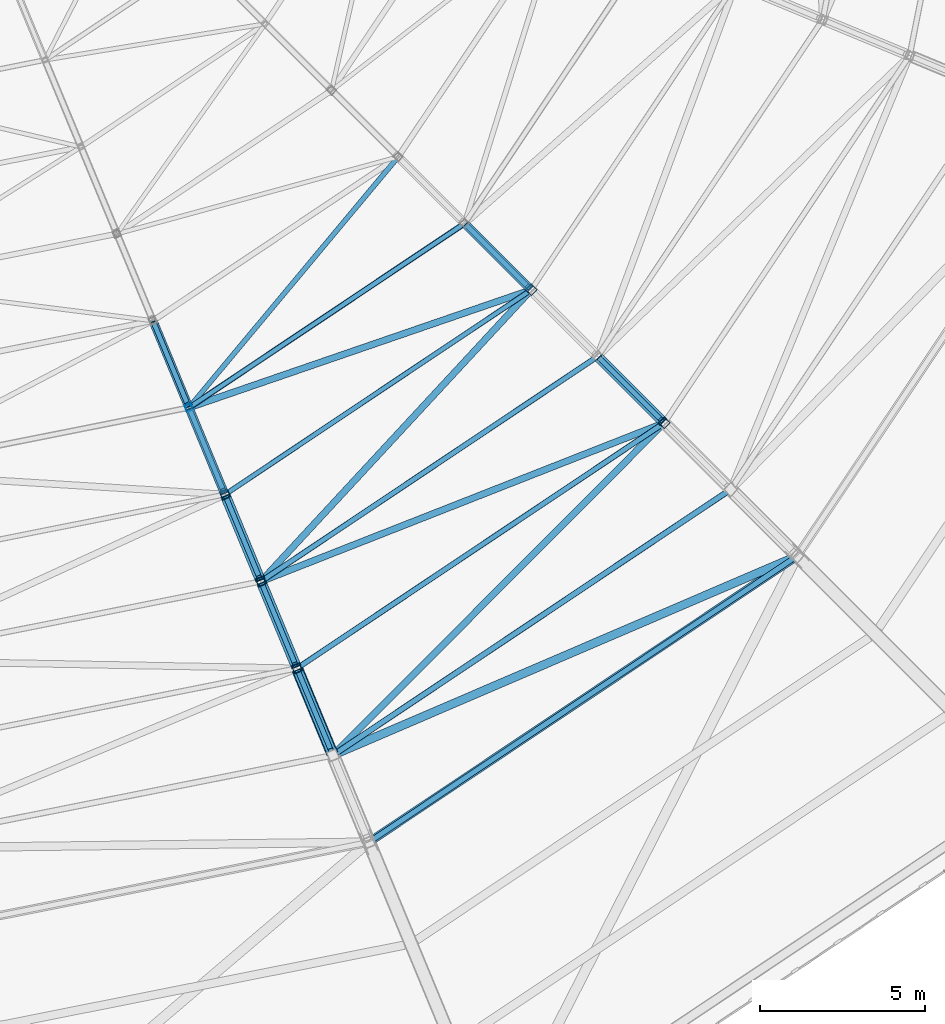
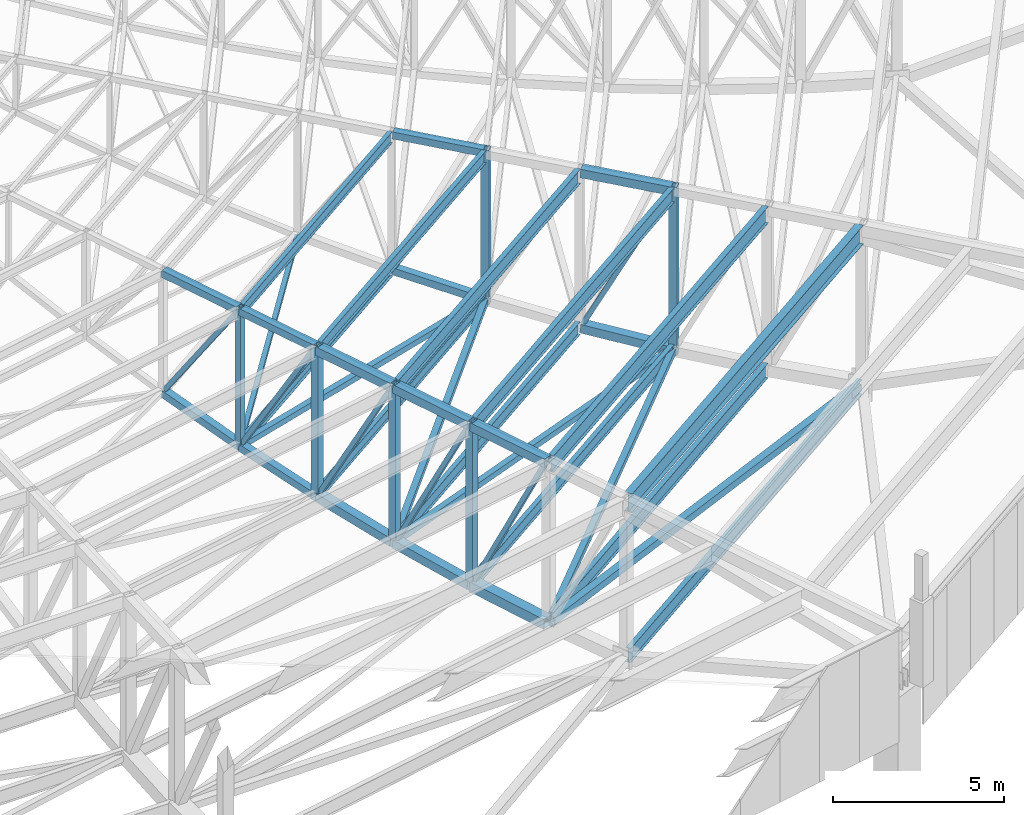
# One storey, part 44 of 278: 25 members, 20 beams.
"""IFC4 building model written with IfcOpenShell, lengths in metres."""

import ifcopenshell
import ifcopenshell.guid

model = None  # the IFC model being written
_history = None  # IfcOwnerHistory: only IFC2X3 demands one
_inside = {}  # id of a spatial element -> (the spatial element, [elements in it])
_under = {}  # id of a project, library or spatial element -> (it, [spatial elements below it])
_declared = {}  # id of a project -> (the project, [libraries it declares])
_typed = {}  # id of a type object -> (the type object, [elements of that type])
_made_of = {}  # id of a material, layer set ... -> (it, [elements and type objects made of it])


def new_model(schema):
    """Start an empty IFC model of exactly this schema.

    Asked for "IFC4X3", IfcOpenShell would pick the latest addendum, in which some entities
    have other attributes; the version numbers below select the first issue.
    IFC2X3 requires an IfcOwnerHistory on every rooted entity: one is made here for all.
    """
    global model, _history
    if schema == "IFC4X3":
        model = ifcopenshell.file(schema_version=(4, 3, 0, 0))
    else:
        model = ifcopenshell.file(schema=schema)
    _inside.clear()
    _under.clear()
    _declared.clear()
    _typed.clear()
    _made_of.clear()
    _history = None
    if model.schema == "IFC2X3":
        org = make("IfcOrganization", Name="unknown")
        user = make(
            "IfcPersonAndOrganization",
            ThePerson=make("IfcPerson", FamilyName="unknown"),
            TheOrganization=org,
        )
        app = make(
            "IfcApplication",
            ApplicationDeveloper=org,
            Version="unknown",
            ApplicationFullName="unknown",
            ApplicationIdentifier="unknown",
        )
        _history = make(
            "IfcOwnerHistory",
            OwningUser=user,
            OwningApplication=app,
            ChangeAction="ADDED",
            CreationDate=0,
        )
    return model


def make(cls, **values):
    """One entity of the class cls with the attributes given. An attribute that is None is left unset."""
    return model.create_entity(
        cls, **{name: value for name, value in values.items() if value is not None}
    )


def rooted(cls, **values):
    """An entity with a GlobalId (a new one), such as an element, a storey or a relation."""
    return make(cls, GlobalId=ifcopenshell.guid.new(), OwnerHistory=_history, **values)


def si_unit(unit_type, name, prefix=None):
    """IfcSIUnit, for example si_unit("LENGTHUNIT", "METRE", prefix="MILLI")."""
    return make("IfcSIUnit", UnitType=unit_type, Prefix=prefix, Name=name)


def assignment(units):
    """IfcUnitAssignment: the units of a project."""
    return None if units is None else make("IfcUnitAssignment", Units=units)


def point(xyz):
    """IfcCartesianPoint."""
    return None if xyz is None else make("IfcCartesianPoint", Coordinates=xyz)


def direction(xyz):
    """IfcDirection."""
    return None if xyz is None else make("IfcDirection", DirectionRatios=xyz)


def frame(location, z_axis=None, x_axis=None):
    """IfcAxis2Placement3D, a coordinate frame: its origin and axes. An axis left out is left unset."""
    return make(
        "IfcAxis2Placement3D",
        Location=point(location),
        Axis=direction(z_axis),
        RefDirection=direction(x_axis),
    )


def frame_2d(location, x_axis=None):
    """IfcAxis2Placement2D, a coordinate frame in the plane: its origin and x axis."""
    return make(
        "IfcAxis2Placement2D", Location=point(location), RefDirection=direction(x_axis)
    )


def origin():
    """The frame at (0, 0, 0) with its axes left unset."""
    return frame((0.0, 0.0, 0.0))


def origin_2d():
    """The frame at (0, 0) in the plane with its x axis left unset."""
    return frame_2d((0.0, 0.0))


def place(relative_to, where):
    """IfcLocalPlacement: puts the frame where relative to a parent placement (None: the world)."""
    return make(
        "IfcLocalPlacement", PlacementRelTo=relative_to, RelativePlacement=where
    )


def context(
    kind, dimensions, precision=None, world=None, true_north=None, identifier=None
):
    """IfcGeometricRepresentationContext, for example the 3D "Model" context."""
    return make(
        "IfcGeometricRepresentationContext",
        ContextIdentifier=identifier,
        ContextType=kind,
        CoordinateSpaceDimension=dimensions,
        Precision=precision,
        WorldCoordinateSystem=world,
        TrueNorth=true_north,
    )


def subcontext(parent, identifier, kind, view, scale=None):
    """IfcGeometricRepresentationSubContext, for example "Body" below "Model"."""
    return make(
        "IfcGeometricRepresentationSubContext",
        ContextIdentifier=identifier,
        ContextType=kind,
        ParentContext=parent,
        TargetScale=scale,
        TargetView=view,
    )


def project(units=None, contexts=None):
    """IfcProject with its units and contexts."""
    return rooted(
        "IfcProject",
        Name="project",
        RepresentationContexts=contexts,
        UnitsInContext=assignment(units),
    )


def spatial(cls, under=None, at=None, **own):
    """A site, building, storey or space (cls), placed at a placement, below another one or the project."""
    s = rooted(cls, ObjectPlacement=at, **own)
    if under is not None:
        _under.setdefault(under.id(), (under, []))[1].append(s)
    return s


def profile(cls, at=None, kind="AREA", **sizes):
    """A parametric profile (cls). Its sizes go by their IFC names, for example OverallWidth=200.0."""
    return make(cls, ProfileType=kind, Position=at, **sizes)


def hollow_rectangle(**sizes):
    """IfcRectangleHollowProfileDef."""
    return profile("IfcRectangleHollowProfileDef", **sizes)


def i_section(**sizes):
    """IfcIShapeProfileDef."""
    return profile("IfcIShapeProfileDef", **sizes)


def extrude(swept, where, along, depth):
    """IfcExtrudedAreaSolid: the profile swept, set in the frame where, extruded along a direction by depth."""
    return make(
        "IfcExtrudedAreaSolid",
        SweptArea=swept,
        Position=where,
        ExtrudedDirection=direction(along),
        Depth=depth,
    )


def shape(context_of_items, identifier, shape_type, items):
    """IfcShapeRepresentation: the items that make up one representation, for example the "Body"."""
    return make(
        "IfcShapeRepresentation",
        ContextOfItems=context_of_items,
        RepresentationIdentifier=identifier,
        RepresentationType=shape_type,
        Items=items,
    )


def material(Name=None, Category=None):
    """IfcMaterial."""
    return make("IfcMaterial", Name=Name, Category=Category)


def material_profile(
    of_material, cross_section, Name=None, Category=None, Priority=None
):
    """IfcMaterialProfile: a cross section and its material."""
    return make(
        "IfcMaterialProfile",
        Name=Name,
        Material=of_material,
        Profile=cross_section,
        Priority=Priority,
        Category=Category,
    )


def profile_set(profiles, Name=None, composite=None):
    """IfcMaterialProfileSet."""
    return make(
        "IfcMaterialProfileSet",
        Name=Name,
        MaterialProfiles=profiles,
        CompositeProfile=composite,
    )


def made_of(thing, what):
    """Note that an element or type object is made of a material, layer set ...; save() writes the relation."""
    if what is not None:
        _made_of.setdefault(what.id(), (what, []))[1].append(thing)
    return thing


def type_object(cls, material=None, **own):
    """A type object (cls), such as IfcWallType, which elements share."""
    return made_of(rooted(cls, **own), material)


def element(
    cls,
    number,
    at=None,
    inside=None,
    cuts=None,
    type_object=None,
    material=None,
    context=None,
    identifier="Body",
    shape_type=None,
    held_by="IfcProductDefinitionShape",
    body=None,
    shapes=None,
    **own,
):
    """One element of the class cls, such as IfcWall. Its Tag is "e" and its number.

    at: its placement. inside: the storey or other place that contains it. cuts: it is an
    opening in that element (IfcRelVoidsElement). A single representation is given by context,
    identifier, shape_type and body (its items); several are given by shapes. held_by: the class
    of the entity that holds the representations. save() writes the other relations.
    """
    e = rooted(cls, Tag="e%d" % number, ObjectPlacement=at, **own)
    if body is not None:
        shapes = [shape(context, identifier, shape_type, body)]
    if shapes is not None:
        e.Representation = make(held_by, Representations=shapes)
    if inside is not None:
        _inside.setdefault(inside.id(), (inside, []))[1].append(e)
    if cuts is not None:
        rooted(
            "IfcRelVoidsElement", RelatingBuildingElement=cuts, RelatedOpeningElement=e
        )
    if type_object is not None:
        _typed.setdefault(type_object.id(), (type_object, []))[1].append(e)
    return made_of(e, material)


def aggregate(whole, parts):
    """IfcRelAggregates: a whole, such as a stair, and the parts it consists of."""
    return rooted("IfcRelAggregates", RelatingObject=whole, RelatedObjects=parts)


def save(model, path):
    """Write the relations noted so far, then the file.

    IfcRelAggregates (storeys below a building ...), IfcRelContainedInSpatialStructure (elements
    in a storey), IfcRelDefinesByType, IfcRelAssociatesMaterial and IfcRelDeclares: one each for
    every whole, place, type object, material and project.
    """
    for whole, parts in _under.values():
        aggregate(whole, parts)
    for where, things in _inside.values():
        rooted(
            "IfcRelContainedInSpatialStructure",
            RelatedElements=things,
            RelatingStructure=where,
        )
    for kind, things in _typed.values():
        rooted("IfcRelDefinesByType", RelatedObjects=things, RelatingType=kind)
    for what, things in _made_of.values():
        rooted("IfcRelAssociatesMaterial", RelatedObjects=things, RelatingMaterial=what)
    for by, libraries in _declared.values():
        rooted("IfcRelDeclares", RelatingContext=by, RelatedDefinitions=libraries)
    model.write(path)


model = new_model("IFC4")

# Units and contexts
model_context = context("Model", 3, precision=1e-05, world=origin(), true_north=direction((0.0, 1.0)))
body_context = subcontext(model_context, "Body", "Model", "MODEL_VIEW")
ifc_project = project(units=[si_unit("LENGTHUNIT", "METRE"), si_unit("AREAUNIT", "SQUARE_METRE"), si_unit("VOLUMEUNIT", "CUBIC_METRE"), si_unit("PLANEANGLEUNIT", "RADIAN"), si_unit("MASSUNIT", "GRAM", prefix="KILO")], contexts=[model_context])

# Site, building, storey
site_placement = place(None, origin())
site = spatial("IfcSite", under=ifc_project, at=site_placement, CompositionType="ELEMENT")
building_placement = place(site_placement, origin())
building = spatial("IfcBuilding", under=site, at=building_placement, Name="Ogive Plaza Stadium", CompositionType="ELEMENT")
storey_placement = place(building_placement, frame((0.0, 0.0, 29.0)))
storey = spatial("IfcBuildingStorey", under=building, at=storey_placement, Name="Roof", CompositionType="ELEMENT", Elevation=29.0)

# Members
ifc_material_1 = material(Name="Steel ASTM A500 Grade C", Category="steel")
ifc_material_profile_1 = material_profile(ifc_material_1, hollow_rectangle(XDim=0.25390625, YDim=0.25390625, WallThickness=0.0087890625, at=origin_2d()), Name="HSS10X10X3/8")
ifc_profile_set_1 = profile_set([ifc_material_profile_1], Name="Steel ASTM A500 Grade C")
member_type_1 = type_object("IfcMemberType", Name="Roof plan brace HSS10X10X3/8", PredefinedType="BRACE", material=ifc_profile_set_1)
member_1_placement = place(storey_placement, frame((48.33056640625, -86.773193359375, 0.266845703125), z_axis=(0.918928857657, 0.394400964926, -0.004199217933), x_axis=(-0.394404442293, 0.918936959698, 0.0)))
element("IfcMember", 1, at=member_1_placement, inside=storey, type_object=member_type_1, Name="ROOF BRACE B10 10", PredefinedType="BRACE", context=body_context, shape_type="SweptSolid", body=[
    extrude(hollow_rectangle(XDim=0.25390625, YDim=0.25390625, WallThickness=0.0087890625, at=origin_2d()), origin(), (0.0, 0.0, 1.0), 15.0),
])
ifc_material_2 = material(Name="Steel ASTM A500 Grade C", Category="steel")
ifc_material_profile_2 = material_profile(ifc_material_2, hollow_rectangle(XDim=0.15234375, YDim=0.15234375, WallThickness=0.005859375, at=origin_2d()), Name="HSS6X6X1/4")
ifc_profile_set_2 = profile_set([ifc_material_profile_2], Name="Steel ASTM A500 Grade C")
member_type_2 = type_object("IfcMemberType", Name="Roof plan brace HSS6X6X1/4", PredefinedType="BRACE", material=ifc_profile_set_2)
member_2_placement = place(storey_placement, frame((50.14208984375, -68.75341796875, 2.434326171875), z_axis=(-0.639024737472, -0.765879779934, -0.071242877452), x_axis=(0.76783083974, -0.640652637194, 0.0)))
element("IfcMember", 2, at=member_2_placement, inside=storey, type_object=member_type_2, Name="ROOF BRACE B10 5", PredefinedType="BRACE", context=body_context, shape_type="SweptSolid", body=[
    extrude(hollow_rectangle(XDim=0.15234375, YDim=0.15234375, WallThickness=0.005859375, at=origin_2d()), origin(), (0.0, 0.0, 1.0), 9.715087890625),
])
ifc_material_3 = material(Name="Steel ASTM A500 Grade C", Category="steel")
ifc_material_profile_3 = material_profile(ifc_material_3, hollow_rectangle(XDim=0.203125, YDim=0.203125, WallThickness=0.0087890625, at=origin_2d()), Name="HSS8X8X3/8")
ifc_profile_set_3 = profile_set([ifc_material_profile_3], Name="Steel ASTM A500 Grade C")
member_type_3 = type_object("IfcMemberType", Name="Roof plan brace HSS8X8X3/8", PredefinedType="BRACE", material=ifc_profile_set_3)
member_3_placement = place(storey_placement, frame((43.927978515625, -76.264404296875, 1.729248046875), z_axis=(0.944427194148, 0.324841491464, -0.050351567781), x_axis=(-0.325254058239, 0.945626669251, 0.0)))
element("IfcMember", 3, at=member_3_placement, inside=storey, type_object=member_type_3, Name="ROOF BRACE B10 6", PredefinedType="BRACE", context=body_context, shape_type="SweptSolid", body=[
    extrude(hollow_rectangle(XDim=0.203125, YDim=0.203125, WallThickness=0.0087890625, at=origin_2d()), origin(), (0.0, 0.0, 1.0), 10.739990234375),
])
member_4_placement = place(storey_placement, frame((54.154541015625, -72.79736328125, 1.176513671875), z_axis=(-0.679343772356, -0.732871590616, -0.037299740335), x_axis=(0.733381934557, -0.679816841557, 0.0)))
element("IfcMember", 4, at=member_4_placement, inside=storey, type_object=member_type_3, Name="ROOF BRACE B10 7", PredefinedType="BRACE", context=body_context, shape_type="SweptSolid", body=[
    extrude(hollow_rectangle(XDim=0.203125, YDim=0.203125, WallThickness=0.0087890625, at=origin_2d()), origin(), (0.0, 0.0, 1.0), 11.794677734375),
])
member_5_placement = place(storey_placement, frame((46.12744140625, -81.519775390625, 0.728515625), z_axis=(0.930458154897, 0.365704344988, -0.022537835805), x_axis=(-0.365797260887, 0.930694559954, 0.0)))
element("IfcMember", 5, at=member_5_placement, inside=storey, type_object=member_type_3, Name="ROOF BRACE B10 8", PredefinedType="BRACE", context=body_context, shape_type="SweptSolid", body=[
    extrude(hollow_rectangle(XDim=0.203125, YDim=0.203125, WallThickness=0.0087890625, at=origin_2d()), origin(), (0.0, 0.0, 1.0), 12.8798828125),
])
member_6_placement = place(storey_placement, frame((58.18505859375, -76.822509765625, 0.43359375), z_axis=(-0.705953861868, -0.708160077122, -0.011766481353), x_axis=(0.708209104624, -0.706002736629, 0.0)))
element("IfcMember", 6, at=member_6_placement, inside=storey, type_object=member_type_3, Name="ROOF BRACE B10 9", PredefinedType="BRACE", context=body_context, shape_type="SweptSolid", body=[
    extrude(hollow_rectangle(XDim=0.203125, YDim=0.203125, WallThickness=0.0087890625, at=origin_2d()), origin(), (0.0, 0.0, 1.0), 13.943115234375),
])
ifc_material_4 = material(Name="Steel ASTM A992 Grade 50", Category="steel")
ifc_material_profile_4 = material_profile(ifc_material_4, i_section(OverallWidth=0.17138671875, OverallDepth=0.35498046875, WebThickness=0.00732421875, FlangeThickness=0.011474609375, at=origin_2d()), Name="W14X34")
ifc_profile_set_4 = profile_set([ifc_material_profile_4], Name="Steel ASTM A992 Grade 50")
member_type_4 = type_object("IfcMemberType", Name="Roof plan strut W14X34", PredefinedType="STRUT", material=ifc_profile_set_4)
member_7_placement = place(storey_placement, frame((52.132568359375, -70.75830078125, 1.733154296875), z_axis=(-0.831467351597, -0.55557361639, 0.0), x_axis=(0.55557361639, -0.831467351597, 0.0)))
element("IfcMember", 7, at=member_7_placement, inside=storey, type_object=member_type_4, Name="ROOF STRUT B10 5", PredefinedType="STRUT", context=body_context, shape_type="SweptSolid", body=[
    extrude(i_section(OverallWidth=0.17138671875, OverallDepth=0.35498046875, WebThickness=0.00732421875, FlangeThickness=0.011474609375, at=origin_2d()), origin(), (0.0, 0.0, 1.0), 9.86572265625),
])
ifc_material_5 = material(Name="Steel ASTM A992 Grade 50", Category="steel")
ifc_material_profile_5 = material_profile(ifc_material_5, i_section(OverallWidth=0.140380859375, OverallDepth=0.4033203125, WebThickness=0.007080078125, FlangeThickness=0.01123046875, at=origin_2d()), Name="W16X31")
ifc_profile_set_5 = profile_set([ifc_material_profile_5], Name="Steel ASTM A992 Grade 50")
member_type_5 = type_object("IfcMemberType", Name="Roof plan strut W16X31", PredefinedType="STRUT", material=ifc_profile_set_5)
member_8_placement = place(storey_placement, frame((54.12890625, -72.786376953125, 1.180419921875), z_axis=(-0.831476080974, -0.555560551847, 0.0), x_axis=(0.555560551847, -0.831476080974, 0.0)))
element("IfcMember", 8, at=member_8_placement, inside=storey, type_object=member_type_5, Name="ROOF STRUT B10 6", PredefinedType="STRUT", context=body_context, shape_type="SweptSolid", body=[
    extrude(i_section(OverallWidth=0.140380859375, OverallDepth=0.4033203125, WebThickness=0.007080078125, FlangeThickness=0.01123046875, at=origin_2d()), origin(), (0.0, 0.0, 1.0), 10.93212890625),
])
ifc_material_6 = material(Name="Steel ASTM A992 Grade 50", Category="steel")
ifc_material_profile_6 = material_profile(ifc_material_6, i_section(OverallWidth=0.15234375, OverallDepth=0.449462890625, WebThickness=0.007568359375, FlangeThickness=0.0107421875, at=origin_2d()), Name="W18X35")
ifc_profile_set_6 = profile_set([ifc_material_profile_6], Name="Steel ASTM A992 Grade 50")
member_type_6 = type_object("IfcMemberType", Name="Roof plan strut W18X35", PredefinedType="STRUT", material=ifc_profile_set_6)
member_9_placement = place(storey_placement, frame((56.14306640625, -74.80224609375, 0.730712890625), z_axis=(-0.831466560266, -0.555574800687, 0.0), x_axis=(0.555574800687, -0.831466560266, 0.0)))
element("IfcMember", 9, at=member_9_placement, inside=storey, type_object=member_type_6, Name="ROOF STRUT B10 7", PredefinedType="STRUT", context=body_context, shape_type="SweptSolid", body=[
    extrude(i_section(OverallWidth=0.15234375, OverallDepth=0.449462890625, WebThickness=0.007568359375, FlangeThickness=0.0107421875, at=origin_2d()), origin(), (0.0, 0.0, 1.0), 12.0419921875),
])
member_10_placement = place(storey_placement, frame((58.158447265625, -76.8173828125, 0.434814453125), z_axis=(-0.831461609697, -0.555582209578, 0.0), x_axis=(0.555582209578, -0.831461609697, 0.0)))
element("IfcMember", 10, at=member_10_placement, inside=storey, type_object=member_type_6, Name="ROOF STRUT B10 8", PredefinedType="STRUT", context=body_context, shape_type="SweptSolid", body=[
    extrude(i_section(OverallWidth=0.15234375, OverallDepth=0.449462890625, WebThickness=0.007568359375, FlangeThickness=0.0107421875, at=origin_2d()), origin(), (0.0, 0.0, 1.0), 13.154052734375),
])
ifc_material_7 = material(Name="Steel ASTM A992 Grade 50", Category="steel")
ifc_material_profile_7 = material_profile(ifc_material_7, i_section(OverallWidth=0.1650390625, OverallDepth=0.524658203125, WebThickness=0.0087890625, FlangeThickness=0.011474609375, at=origin_2d()), Name="W21X44")
ifc_profile_set_7 = profile_set([ifc_material_profile_7], Name="Steel ASTM A992 Grade 50")
member_type_7 = type_object("IfcMemberType", Name="Roof plan strut W21X44", PredefinedType="STRUT", material=ifc_profile_set_7)
member_11_placement = place(storey_placement, frame((60.151123046875, -78.847900390625, 0.267333984375), z_axis=(-0.831468390799, -0.555572061125, 0.0), x_axis=(0.555572061125, -0.831468390799, 0.0)))
element("IfcMember", 11, at=member_11_placement, inside=storey, type_object=member_type_7, Name="ROOF STRUT B10 9", PredefinedType="STRUT", context=body_context, shape_type="SweptSolid", body=[
    extrude(i_section(OverallWidth=0.1650390625, OverallDepth=0.524658203125, WebThickness=0.0087890625, FlangeThickness=0.011474609375, at=origin_2d()), origin(), (0.0, 0.0, 1.0), 14.21142578125),
])
member_12_placement = place(storey_placement, frame((62.166259765625, -80.863037109375, 0.203125), z_axis=(-0.831464008334, -0.55557861986, 0.0), x_axis=(0.55557861986, -0.831464008334, 0.0)))
element("IfcMember", 12, at=member_12_placement, inside=storey, type_object=member_type_7, Name="ROOF STRUT B10 10", PredefinedType="STRUT", context=body_context, shape_type="SweptSolid", body=[
    extrude(i_section(OverallWidth=0.1650390625, OverallDepth=0.524658203125, WebThickness=0.0087890625, FlangeThickness=0.011474609375, at=origin_2d()), origin(), (0.0, 0.0, 1.0), 15.323486328125),
])
ifc_material_8 = material(Name="Steel ASTM A992 Grade 50", Category="steel")
ifc_material_profile_8 = material_profile(ifc_material_8, i_section(OverallWidth=0.140380859375, OverallDepth=0.4033203125, WebThickness=0.007080078125, FlangeThickness=0.01123046875, at=origin_2d()), Name="W16X31")
ifc_profile_set_8 = profile_set([ifc_material_profile_8], Name="Steel ASTM A992 Grade 50")
member_type_8 = type_object("IfcMemberType", Name="Roof purlin W16X31", PredefinedType="PURLIN", material=ifc_profile_set_8)
member_13_placement = place(storey_placement, frame((52.13525390625, -70.756591796875, 6.5107421875), z_axis=(-0.831467715739, -0.555573071416, 0.0), x_axis=(0.555573071416, -0.831467715739, 0.0)))
element("IfcMember", 13, at=member_13_placement, inside=storey, type_object=member_type_8, Name="ROOF PURLIN B10 5", PredefinedType="PURLIN", context=body_context, shape_type="SweptSolid", body=[
    extrude(i_section(OverallWidth=0.140380859375, OverallDepth=0.4033203125, WebThickness=0.007080078125, FlangeThickness=0.01123046875, at=origin_2d()), origin(), (0.0, 0.0, 1.0), 9.8720703125),
])
ifc_material_9 = material(Name="Steel ASTM A992 Grade 50", Category="steel")
ifc_material_profile_9 = material_profile(ifc_material_9, i_section(OverallWidth=0.15234375, OverallDepth=0.449462890625, WebThickness=0.007568359375, FlangeThickness=0.0107421875, at=origin_2d()), Name="W18X35")
ifc_profile_set_9 = profile_set([ifc_material_profile_9], Name="Steel ASTM A992 Grade 50")
member_type_9 = type_object("IfcMemberType", Name="Roof purlin W18X35", PredefinedType="PURLIN", material=ifc_profile_set_9)
member_14_placement = place(storey_placement, frame((54.1279296875, -72.786865234375, 6.34521484375), z_axis=(-0.831462199803, -0.555581326448, 0.0), x_axis=(0.555581326448, -0.831462199803, 0.0)))
element("IfcMember", 14, at=member_14_placement, inside=storey, type_object=member_type_9, Name="ROOF PURLIN B10 6", PredefinedType="PURLIN", context=body_context, shape_type="SweptSolid", body=[
    extrude(i_section(OverallWidth=0.15234375, OverallDepth=0.449462890625, WebThickness=0.007568359375, FlangeThickness=0.0107421875, at=origin_2d()), origin(), (0.0, 0.0, 1.0), 10.929931640625),
])
ifc_material_10 = material(Name="Steel ASTM A992 Grade 50", Category="steel")
ifc_material_profile_10 = material_profile(ifc_material_10, i_section(OverallWidth=0.1650390625, OverallDepth=0.524658203125, WebThickness=0.0087890625, FlangeThickness=0.011474609375, at=origin_2d()), Name="W21X44")
ifc_profile_set_10 = profile_set([ifc_material_profile_10], Name="Steel ASTM A992 Grade 50")
member_type_10 = type_object("IfcMemberType", Name="Roof purlin W21X44", PredefinedType="PURLIN", material=ifc_profile_set_10)
member_15_placement = place(storey_placement, frame((56.14208984375, -74.802978515625, 6.1650390625), z_axis=(-0.831466432125, -0.555574992462, 0.0), x_axis=(0.555574992462, -0.831466432125, 0.0)))
element("IfcMember", 15, at=member_15_placement, inside=storey, type_object=member_type_10, Name="ROOF PURLIN B10 7", PredefinedType="PURLIN", context=body_context, shape_type="SweptSolid", body=[
    extrude(i_section(OverallWidth=0.1650390625, OverallDepth=0.524658203125, WebThickness=0.0087890625, FlangeThickness=0.011474609375, at=origin_2d()), origin(), (0.0, 0.0, 1.0), 12.039306640625),
])
member_16_placement = place(storey_placement, frame((58.157470703125, -76.818115234375, 6.022705078125), z_axis=(-0.831467221436, -0.555573811188, 0.0), x_axis=(0.555573811188, -0.831467221436, 0.0)))
element("IfcMember", 16, at=member_16_placement, inside=storey, type_object=member_type_10, Name="ROOF PURLIN B10 8", PredefinedType="PURLIN", context=body_context, shape_type="SweptSolid", body=[
    extrude(i_section(OverallWidth=0.1650390625, OverallDepth=0.524658203125, WebThickness=0.0087890625, FlangeThickness=0.011474609375, at=origin_2d()), origin(), (0.0, 0.0, 1.0), 13.151611328125),
])
ifc_material_11 = material(Name="Steel ASTM A992 Grade 50", Category="steel")
ifc_material_profile_11 = material_profile(ifc_material_11, i_section(OverallWidth=0.177978515625, OverallDepth=0.5986328125, WebThickness=0.010009765625, FlangeThickness=0.012939453125, at=origin_2d()), Name="W24X55")
ifc_profile_set_11 = profile_set([ifc_material_profile_11], Name="Steel ASTM A992 Grade 50")
member_type_11 = type_object("IfcMemberType", Name="Roof purlin W24X55", PredefinedType="PURLIN", material=ifc_profile_set_11)
member_17_placement = place(storey_placement, frame((60.150146484375, -78.848388671875, 5.84326171875), z_axis=(-0.831465648913, -0.555576164606, 0.0), x_axis=(0.555576164606, -0.831465648913, 0.0)))
element("IfcMember", 17, at=member_17_placement, inside=storey, type_object=member_type_11, Name="ROOF PURLIN B10 9", PredefinedType="PURLIN", context=body_context, shape_type="SweptSolid", body=[
    extrude(i_section(OverallWidth=0.177978515625, OverallDepth=0.5986328125, WebThickness=0.010009765625, FlangeThickness=0.012939453125, at=origin_2d()), origin(), (0.0, 0.0, 1.0), 14.209228515625),
])
ifc_material_12 = material(Name="Steel ASTM A992 Grade 50", Category="steel")
ifc_material_profile_12 = material_profile(ifc_material_12, i_section(OverallWidth=0.2529296875, OverallDepth=0.678466796875, WebThickness=0.01171875, FlangeThickness=0.016357421875, at=origin_2d()), Name="W27X84")
ifc_profile_set_12 = profile_set([ifc_material_profile_12], Name="Steel ASTM A992 Grade 50")
member_type_12 = type_object("IfcMemberType", Name="Roof purlin W27X84", PredefinedType="PURLIN", material=ifc_profile_set_12)
member_18_placement = place(storey_placement, frame((62.1591796875, -80.867919921875, 5.660888671875), z_axis=(-0.831468256832, -0.55557226162, 0.0), x_axis=(0.55557226162, -0.831468256832, 0.0)))
element("IfcMember", 18, at=member_18_placement, inside=storey, type_object=member_type_12, Name="ROOF PURLIN B10 10", PredefinedType="PURLIN", context=body_context, shape_type="SweptSolid", body=[
    extrude(i_section(OverallWidth=0.2529296875, OverallDepth=0.678466796875, WebThickness=0.01171875, FlangeThickness=0.016357421875, at=origin_2d()), origin(), (0.0, 0.0, 1.0), 15.30615234375),
])

# Beams
ifc_material_13 = material(Name="Steel ASTM A500 Grade C", Category="steel")
ifc_material_profile_13 = material_profile(ifc_material_13, hollow_rectangle(XDim=0.25390625, YDim=0.25390625, WallThickness=0.01171875, at=origin_2d()), Name="HSS10X10X1/2")
ifc_profile_set_13 = profile_set([ifc_material_profile_13], Name="Steel ASTM A500 Grade C")
beam_type_1 = type_object("IfcBeamType", Name="Roof truss bottom chord HSS10X10X1/2", PredefinedType="BEAM", material=ifc_profile_set_13)
beam_1_placement = place(storey_placement, frame((52.2412109375, -70.7412109375, 1.726318359375), z_axis=(0.692987168322, -0.692987168322, -0.198840561966), x_axis=(0.707106781187, 0.707106781187, 0.0)))
element("IfcBeam", 19, at=beam_1_placement, inside=storey, type_object=beam_type_1, Name="ROOF TRUSS T10 BOTTOM CHORD 6", PredefinedType="BEAM", context=body_context, shape_type="SweptSolid", body=[
    extrude(hollow_rectangle(XDim=0.25390625, YDim=0.25390625, WallThickness=0.01171875, at=origin_2d()), origin(), (0.0, 0.0, 1.0), 2.809326171875),
])
beam_2_placement = place(storey_placement, frame((42.779541015625, -73.695556640625, 2.433349609375), z_axis=(0.371439859665, -0.89673257633, -0.240630665544), x_axis=(0.923879144677, 0.382684368678, 0.0)))
element("IfcBeam", 20, at=beam_2_placement, inside=storey, type_object=beam_type_1, Name="ROOF TRUSS T11 BOTTOM CHORD 5", PredefinedType="BEAM", context=body_context, shape_type="SweptSolid", body=[
    extrude(hollow_rectangle(XDim=0.25390625, YDim=0.25390625, WallThickness=0.01171875, at=origin_2d()), origin(), (0.0, 0.0, 1.0), 2.849853515625),
])
beam_3_placement = place(storey_placement, frame((43.8720703125, -76.333251953125, 1.726318359375), z_axis=(0.375020513968, -0.905437709043, -0.198852128843), x_axis=(0.923888213913, 0.382662472935, 0.0)))
element("IfcBeam", 21, at=beam_3_placement, inside=storey, type_object=beam_type_1, Name="ROOF TRUSS T11 BOTTOM CHORD 6", PredefinedType="BEAM", context=body_context, shape_type="SweptSolid", body=[
    extrude(hollow_rectangle(XDim=0.25390625, YDim=0.25390625, WallThickness=0.01171875, at=origin_2d()), origin(), (0.0, 0.0, 1.0), 2.80908203125),
])
ifc_material_14 = material(Name="Steel ASTM A500 Grade C", Category="steel")
ifc_material_profile_14 = material_profile(ifc_material_14, hollow_rectangle(XDim=0.3046875, YDim=0.3046875, WallThickness=0.0146484375, at=origin_2d()), Name="HSS12X12X5/8")
ifc_profile_set_14 = profile_set([ifc_material_profile_14], Name="Steel ASTM A500 Grade C")
beam_type_2 = type_object("IfcBeamType", Name="Roof truss bottom chord HSS12X12X5/8", PredefinedType="BEAM", material=ifc_profile_set_14)
beam_4_placement = place(storey_placement, frame((56.27392578125, -74.77392578125, 0.72607421875), z_axis=(0.702654892107, -0.702654892107, -0.112036624354), x_axis=(0.707106781187, 0.707106781187, 0.0)))
element("IfcBeam", 22, at=beam_4_placement, inside=storey, type_object=beam_type_2, Name="ROOF TRUSS T10 BOTTOM CHORD 8", PredefinedType="BEAM", context=body_context, shape_type="SweptSolid", body=[
    extrude(hollow_rectangle(XDim=0.3046875, YDim=0.3046875, WallThickness=0.0146484375, at=origin_2d()), origin(), (0.0, 0.0, 1.0), 2.767578125),
])
beam_5_placement = place(storey_placement, frame((44.9638671875, -78.96923828125, 1.17431640625), z_axis=(0.378060038258, -0.912570809119, -0.15583685641), x_axis=(0.923857757469, 0.382735997737, 0.0)))
element("IfcBeam", 23, at=beam_5_placement, inside=storey, type_object=beam_type_2, Name="ROOF TRUSS T11 BOTTOM CHORD 7", PredefinedType="BEAM", context=body_context, shape_type="SweptSolid", body=[
    extrude(hollow_rectangle(XDim=0.3046875, YDim=0.3046875, WallThickness=0.0146484375, at=origin_2d()), origin(), (0.0, 0.0, 1.0), 2.783935546875),
])
beam_6_placement = place(storey_placement, frame((46.054443359375, -81.602294921875, 0.72607421875), z_axis=(0.380326079208, -0.918040635639, -0.112042245557), x_axis=(0.923857757469, 0.382735997737, 0.0)))
element("IfcBeam", 24, at=beam_6_placement, inside=storey, type_object=beam_type_2, Name="ROOF TRUSS T11 BOTTOM CHORD 8", PredefinedType="BEAM", context=body_context, shape_type="SweptSolid", body=[
    extrude(hollow_rectangle(XDim=0.3046875, YDim=0.3046875, WallThickness=0.0146484375, at=origin_2d()), origin(), (0.0, 0.0, 1.0), 2.767333984375),
])
ifc_material_15 = material(Name="Steel ASTM A500 Grade C", Category="steel")
ifc_material_profile_15 = material_profile(ifc_material_15, hollow_rectangle(XDim=0.355712890625, YDim=0.355712890625, WallThickness=0.0146484375, at=origin_2d()), Name="HSS14X14X5/8")
ifc_profile_set_15 = profile_set([ifc_material_profile_15], Name="Steel ASTM A500 Grade C")
beam_type_3 = type_object("IfcBeamType", Name="Roof truss bottom chord HSS14X14X5/8", PredefinedType="BEAM", material=ifc_profile_set_15)
beam_7_placement = place(storey_placement, frame((47.145263671875, -84.2353515625, 0.431884765625), z_axis=(0.381787492455, -0.92178205255, -0.067499320012), x_axis=(0.923889147914, 0.382660217904, 0.0)))
element("IfcBeam", 25, at=beam_7_placement, inside=storey, type_object=beam_type_3, Name="ROOF TRUSS T11 BOTTOM CHORD 9", PredefinedType="BEAM", context=body_context, shape_type="SweptSolid", body=[
    extrude(hollow_rectangle(XDim=0.355712890625, YDim=0.355712890625, WallThickness=0.0146484375, at=origin_2d()), origin(), (0.0, 0.0, 1.0), 2.756103515625),
])

# Members
ifc_material_16 = material(Name="Steel ASTM A500 Grade C", Category="steel")
ifc_material_profile_16 = material_profile(ifc_material_16, hollow_rectangle(XDim=0.15234375, YDim=0.15234375, WallThickness=0.005859375, at=origin_2d()), Name="HSS6X6X1/4")
ifc_profile_set_16 = profile_set([ifc_material_profile_16], Name="Steel ASTM A500 Grade C")
member_type_13 = type_object("IfcMemberType", Name="Roof truss diagonal HSS6X6X1/4", PredefinedType="BRACE", material=ifc_profile_set_16)
member_19_placement = place(storey_placement, frame((42.80224609375, -73.750732421875, 2.56689453125), z_axis=(0.215226146856, -0.519572207016, 0.826875097827), x_axis=(0.923871804697, 0.382702088427, 0.0)))
element("IfcMember", 26, at=member_19_placement, inside=storey, type_object=member_type_13, Name="ROOF TRUSS T11 DIAGONAL 5", PredefinedType="BRACE", context=body_context, shape_type="SweptSolid", body=[
    extrude(hollow_rectangle(XDim=0.15234375, YDim=0.15234375, WallThickness=0.005859375, at=origin_2d()), origin(), (0.0, 0.0, 1.0), 4.706298828125),
])
ifc_material_17 = material(Name="Steel ASTM A500 Grade C", Category="steel")
ifc_material_profile_17 = material_profile(ifc_material_17, hollow_rectangle(XDim=0.15234375, YDim=0.15234375, WallThickness=0.0087890625, at=origin_2d()), Name="HSS6X6X3/8")
ifc_profile_set_17 = profile_set([ifc_material_profile_17], Name="Steel ASTM A500 Grade C")
member_type_14 = type_object("IfcMemberType", Name="Roof truss diagonal HSS6X6X3/8", PredefinedType="BRACE", material=ifc_profile_set_17)
member_20_placement = place(storey_placement, frame((52.27978515625, -70.77978515625, 1.8603515625), z_axis=(0.358587564361, -0.358587564361, 0.861875813195), x_axis=(0.707106781187, 0.707106781187, 0.0)))
element("IfcMember", 27, at=member_20_placement, inside=storey, type_object=member_type_14, Name="ROOF TRUSS T10 DIAGONAL 6", PredefinedType="BRACE", context=body_context, shape_type="SweptSolid", body=[
    extrude(hollow_rectangle(XDim=0.15234375, YDim=0.15234375, WallThickness=0.0087890625, at=origin_2d()), origin(), (0.0, 0.0, 1.0), 5.169677734375),
])
member_21_placement = place(storey_placement, frame((56.328369140625, -74.828369140625, 0.883056640625), z_axis=(0.320914321747, -0.320914321747, 0.891082485629), x_axis=(0.707106781187, 0.707106781187, 0.0)))
element("IfcMember", 28, at=member_21_placement, inside=storey, type_object=member_type_14, Name="ROOF TRUSS T10 DIAGONAL 8", PredefinedType="BRACE", context=body_context, shape_type="SweptSolid", body=[
    extrude(hollow_rectangle(XDim=0.15234375, YDim=0.15234375, WallThickness=0.0087890625, at=origin_2d()), origin(), (0.0, 0.0, 1.0), 5.72021484375),
])
member_22_placement = place(storey_placement, frame((43.89306640625, -76.3837890625, 1.8603515625), z_axis=(0.194055612203, -0.468491524227, 0.861892169067), x_axis=(0.923879484396, 0.382683548526, 0.0)))
element("IfcMember", 29, at=member_22_placement, inside=storey, type_object=member_type_14, Name="ROOF TRUSS T11 DIAGONAL 6", PredefinedType="BRACE", context=body_context, shape_type="SweptSolid", body=[
    extrude(hollow_rectangle(XDim=0.15234375, YDim=0.15234375, WallThickness=0.0087890625, at=origin_2d()), origin(), (0.0, 0.0, 1.0), 5.16943359375),
])
member_23_placement = place(storey_placement, frame((44.993408203125, -79.040283203125, 1.332763671875), z_axis=(0.18233402805, -0.440218602007, 0.879182509302), x_axis=(0.923887313935, 0.382664645806, 0.0)))
element("IfcMember", 30, at=member_23_placement, inside=storey, type_object=member_type_14, Name="ROOF TRUSS T11 DIAGONAL 7", PredefinedType="BRACE", context=body_context, shape_type="SweptSolid", body=[
    extrude(hollow_rectangle(XDim=0.15234375, YDim=0.15234375, WallThickness=0.0087890625, at=origin_2d()), origin(), (0.0, 0.0, 1.0), 5.4482421875),
])
member_24_placement = place(storey_placement, frame((46.083984375, -81.67333984375, 0.883056640625), z_axis=(0.17366723306, -0.419293904541, 0.891084908287), x_axis=(0.923887313935, 0.382664645806, 0.0)))
element("IfcMember", 31, at=member_24_placement, inside=storey, type_object=member_type_14, Name="ROOF TRUSS T11 DIAGONAL 8", PredefinedType="BRACE", context=body_context, shape_type="SweptSolid", body=[
    extrude(hollow_rectangle(XDim=0.15234375, YDim=0.15234375, WallThickness=0.0087890625, at=origin_2d()), origin(), (0.0, 0.0, 1.0), 5.72021484375),
])
member_25_placement = place(storey_placement, frame((47.174560546875, -84.306396484375, 0.612548828125), z_axis=(0.168958194197, -0.407847472246, 0.897281208984), x_axis=(0.923861720222, 0.382726432205, 0.0)))
element("IfcMember", 32, at=member_25_placement, inside=storey, type_object=member_type_14, Name="ROOF TRUSS T11 DIAGONAL 9", PredefinedType="BRACE", context=body_context, shape_type="SweptSolid", body=[
    extrude(hollow_rectangle(XDim=0.15234375, YDim=0.15234375, WallThickness=0.0087890625, at=origin_2d()), origin(), (0.0, 0.0, 1.0), 5.8232421875),
])

# Beams
ifc_material_18 = material(Name="Steel ASTM A500 Grade C", Category="steel")
ifc_material_profile_18 = material_profile(ifc_material_18, hollow_rectangle(XDim=0.25390625, YDim=0.25390625, WallThickness=0.01171875, at=origin_2d()), Name="HSS10X10X1/2")
ifc_profile_set_18 = profile_set([ifc_material_profile_18], Name="Steel ASTM A500 Grade C")
beam_type_4 = type_object("IfcBeamType", Name="Roof truss post HSS10X10X1/2", PredefinedType="BEAM", material=ifc_profile_set_18)
beam_8_placement = place(storey_placement, frame((54.22314453125, -72.72314453125, 1.028076171875), z_axis=(0.0, 0.0, 1.0), x_axis=(0.707106781187, 0.707106781187, 0.0)))
element("IfcBeam", 33, at=beam_8_placement, inside=storey, type_object=beam_type_4, Name="ROOF TRUSS T10 POST 7", PredefinedType="BEAM", context=body_context, shape_type="SweptSolid", body=[
    extrude(hollow_rectangle(XDim=0.25390625, YDim=0.25390625, WallThickness=0.01171875, at=origin_2d()), origin(), (0.0, 0.0, 1.0), 5.5419921875),
])
beam_9_placement = place(storey_placement, frame((58.253662109375, -76.753662109375, 0.257080078125), z_axis=(0.0, 0.0, 1.0), x_axis=(0.707106781187, 0.707106781187, 0.0)))
element("IfcBeam", 34, at=beam_9_placement, inside=storey, type_object=beam_type_4, Name="ROOF TRUSS T10 POST 9", PredefinedType="BEAM", context=body_context, shape_type="SweptSolid", body=[
    extrude(hollow_rectangle(XDim=0.25390625, YDim=0.25390625, WallThickness=0.01171875, at=origin_2d()), origin(), (0.0, 0.0, 1.0), 6.02783203125),
])
beam_10_placement = place(storey_placement, frame((44.94482421875, -78.9228515625, 1.028076171875), z_axis=(0.0, 0.0, 1.0), x_axis=(0.923879532511, 0.382683432365, 0.0)))
element("IfcBeam", 35, at=beam_10_placement, inside=storey, type_object=beam_type_4, Name="ROOF TRUSS T11 POST 7", PredefinedType="BEAM", context=body_context, shape_type="SweptSolid", body=[
    extrude(hollow_rectangle(XDim=0.25390625, YDim=0.25390625, WallThickness=0.01171875, at=origin_2d()), origin(), (0.0, 0.0, 1.0), 5.5419921875),
])
beam_11_placement = place(storey_placement, frame((46.035400390625, -81.555908203125, 0.578369140625), z_axis=(0.0, 0.0, 1.0), x_axis=(0.923879532511, 0.382683432365, 0.0)))
element("IfcBeam", 36, at=beam_11_placement, inside=storey, type_object=beam_type_4, Name="ROOF TRUSS T11 POST 8", PredefinedType="BEAM", context=body_context, shape_type="SweptSolid", body=[
    extrude(hollow_rectangle(XDim=0.25390625, YDim=0.25390625, WallThickness=0.01171875, at=origin_2d()), origin(), (0.0, 0.0, 1.0), 5.84912109375),
])
beam_12_placement = place(storey_placement, frame((47.1259765625, -84.18896484375, 0.257080078125), z_axis=(0.0, 0.0, 1.0), x_axis=(0.923879532511, 0.382683432365, 0.0)))
element("IfcBeam", 37, at=beam_12_placement, inside=storey, type_object=beam_type_4, Name="ROOF TRUSS T11 POST 9", PredefinedType="BEAM", context=body_context, shape_type="SweptSolid", body=[
    extrude(hollow_rectangle(XDim=0.25390625, YDim=0.25390625, WallThickness=0.01171875, at=origin_2d()), origin(), (0.0, 0.0, 1.0), 6.02783203125),
])
ifc_material_19 = material(Name="Steel ASTM A500 Grade C", Category="steel")
ifc_material_profile_19 = material_profile(ifc_material_19, hollow_rectangle(XDim=0.203125, YDim=0.203125, WallThickness=0.0087890625, at=origin_2d()), Name="HSS8X8X3/8")
ifc_profile_set_19 = profile_set([ifc_material_profile_19], Name="Steel ASTM A500 Grade C")
beam_type_5 = type_object("IfcBeamType", Name="Roof truss post HSS8X8X3/8", PredefinedType="BEAM", material=ifc_profile_set_19)
beam_13_placement = place(storey_placement, frame((43.85400390625, -76.289794921875, 1.606201171875), z_axis=(0.0, 0.0, 1.0), x_axis=(0.923879532511, 0.382683432365, 0.0)))
element("IfcBeam", 38, at=beam_13_placement, inside=storey, type_object=beam_type_5, Name="ROOF TRUSS T11 POST 6", PredefinedType="BEAM", context=body_context, shape_type="SweptSolid", body=[
    extrude(hollow_rectangle(XDim=0.203125, YDim=0.203125, WallThickness=0.0087890625, at=origin_2d()), origin(), (0.0, 0.0, 1.0), 5.106201171875),
])
ifc_material_20 = material(Name="Steel ASTM A500 Grade C", Category="steel")
ifc_material_profile_20 = material_profile(ifc_material_20, hollow_rectangle(XDim=0.25390625, YDim=0.25390625, WallThickness=0.0087890625, at=origin_2d()), Name="HSS10X10X3/8")
ifc_profile_set_20 = profile_set([ifc_material_profile_20], Name="Steel ASTM A500 Grade C")
beam_type_6 = type_object("IfcBeamType", Name="Roof truss top chord HSS10X10X3/8", PredefinedType="BEAM", material=ifc_profile_set_20)
for number, where, z_axis, x_axis, name in (
    (39, (52.243408203125, -70.743408203125, 6.582763671875), (0.706225209818, -0.706225209818, -0.049918994743), (0.707106781187, 0.707106781187, 0.0), "ROOF TRUSS T10 TOP CHORD 6"),
    (40, (42.782470703125, -73.703125, 6.725341796875), (0.382258780814, -0.922705839284, -0.049921524843), (0.923857757469, 0.382735997737, 0.0), "ROOF TRUSS T11 TOP CHORD 5"),
):
    element("IfcBeam", number, at=place(storey_placement, frame(where, z_axis=z_axis, x_axis=x_axis)), inside=storey, type_object=beam_type_6, Name=name, PredefinedType="BEAM", context=body_context, shape_type="SweptSolid", body=[
        extrude(hollow_rectangle(XDim=0.25390625, YDim=0.25390625, WallThickness=0.0087890625, at=origin_2d()), origin(), (0.0, 0.0, 1.0), 2.75341796875),
    ])
beam_14_placement = place(storey_placement, frame((43.873291015625, -76.336181640625, 6.582763671875), z_axis=(0.382183063105, -0.922737112453, -0.049923216828), x_axis=(0.923889147914, 0.382660217904, 0.0)))
element("IfcBeam", 41, at=beam_14_placement, inside=storey, type_object=beam_type_6, Name="ROOF TRUSS T11 TOP CHORD 6", PredefinedType="BEAM", context=body_context, shape_type="SweptSolid", body=[
    extrude(hollow_rectangle(XDim=0.25390625, YDim=0.25390625, WallThickness=0.0087890625, at=origin_2d()), origin(), (0.0, 0.0, 1.0), 2.753173828125),
])
ifc_material_21 = material(Name="Steel ASTM A500 Grade C", Category="steel")
ifc_material_profile_21 = material_profile(ifc_material_21, hollow_rectangle(XDim=0.3046875, YDim=0.3046875, WallThickness=0.01171875, at=origin_2d()), Name="HSS12X12X1/2")
ifc_profile_set_21 = profile_set([ifc_material_profile_21], Name="Steel ASTM A500 Grade C")
beam_type_7 = type_object("IfcBeamType", Name="Roof truss top chord HSS12X12X1/2", PredefinedType="BEAM", material=ifc_profile_set_21)
beam_15_placement = place(storey_placement, frame((47.145263671875, -84.2353515625, 6.1298828125), z_axis=(0.382183063105, -0.922737112453, -0.049923216828), x_axis=(0.923889147914, 0.382660217904, 0.0)))
element("IfcBeam", 42, at=beam_15_placement, inside=storey, type_object=beam_type_7, Name="ROOF TRUSS T11 TOP CHORD 9", PredefinedType="BEAM", context=body_context, shape_type="SweptSolid", body=[
    extrude(hollow_rectangle(XDim=0.3046875, YDim=0.3046875, WallThickness=0.01171875, at=origin_2d()), origin(), (0.0, 0.0, 1.0), 2.753173828125),
])
ifc_material_22 = material(Name="Steel ASTM A500 Grade C", Category="steel")
ifc_material_profile_22 = material_profile(ifc_material_22, hollow_rectangle(XDim=0.3046875, YDim=0.3046875, WallThickness=0.0087890625, at=origin_2d()), Name="HSS12X12X3/8")
ifc_profile_set_22 = profile_set([ifc_material_profile_22], Name="Steel ASTM A500 Grade C")
beam_type_8 = type_object("IfcBeamType", Name="Roof truss top chord HSS12X12X3/8", PredefinedType="BEAM", material=ifc_profile_set_22)
for number, where, z_axis, x_axis, name in (
    (43, (56.27392578125, -74.77392578125, 6.2724609375), (0.706225209818, -0.706225209818, -0.049918994743), (0.707106781187, 0.707106781187, 0.0), "ROOF TRUSS T10 TOP CHORD 8"),
    (44, (44.9638671875, -78.96923828125, 6.414794921875), (0.382258780814, -0.922705839284, -0.049921524843), (0.923857757469, 0.382735997737, 0.0), "ROOF TRUSS T11 TOP CHORD 7"),
    (45, (46.054443359375, -81.602294921875, 6.2724609375), (0.382258780814, -0.922705839284, -0.049921524843), (0.923857757469, 0.382735997737, 0.0), "ROOF TRUSS T11 TOP CHORD 8"),
):
    element("IfcBeam", number, at=place(storey_placement, frame(where, z_axis=z_axis, x_axis=x_axis)), inside=storey, type_object=beam_type_8, Name=name, PredefinedType="BEAM", context=body_context, shape_type="SweptSolid", body=[
        extrude(hollow_rectangle(XDim=0.3046875, YDim=0.3046875, WallThickness=0.0087890625, at=origin_2d()), origin(), (0.0, 0.0, 1.0), 2.75341796875),
    ])

save(model, "model.ifc")
